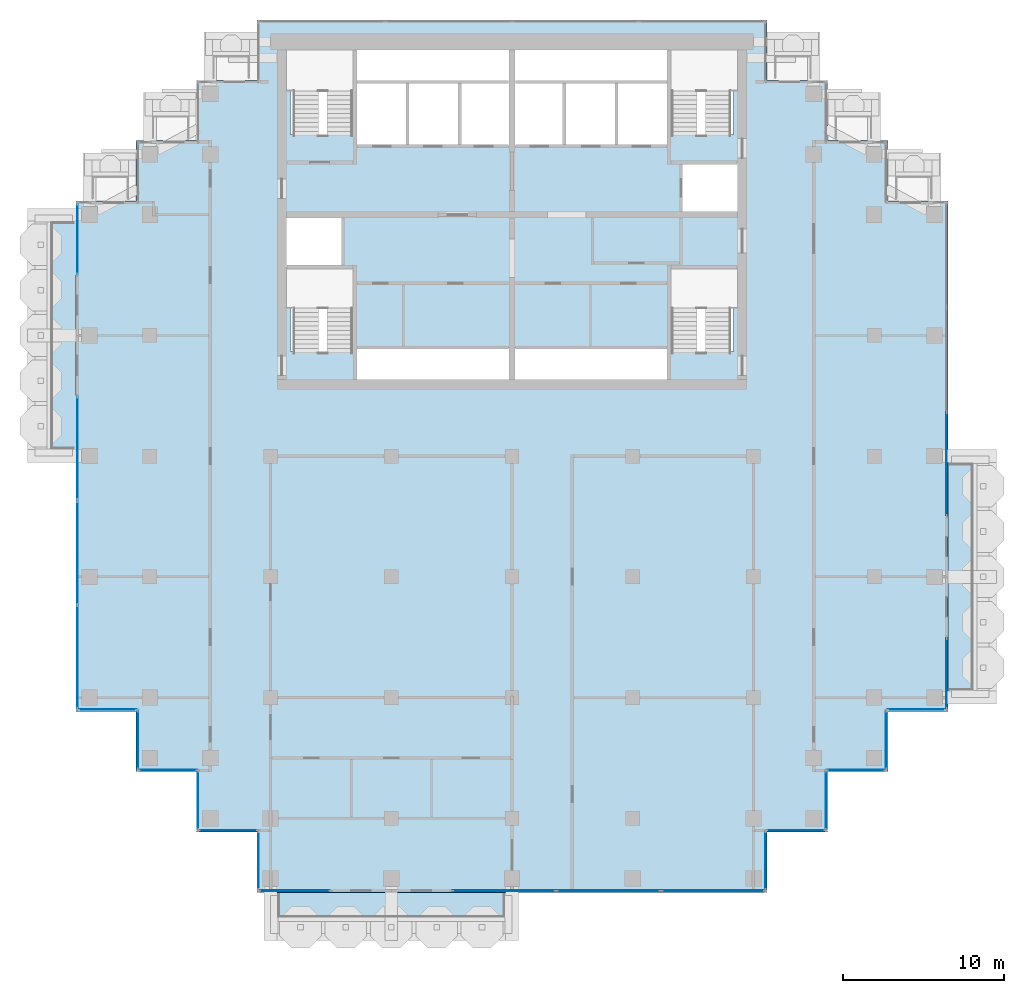
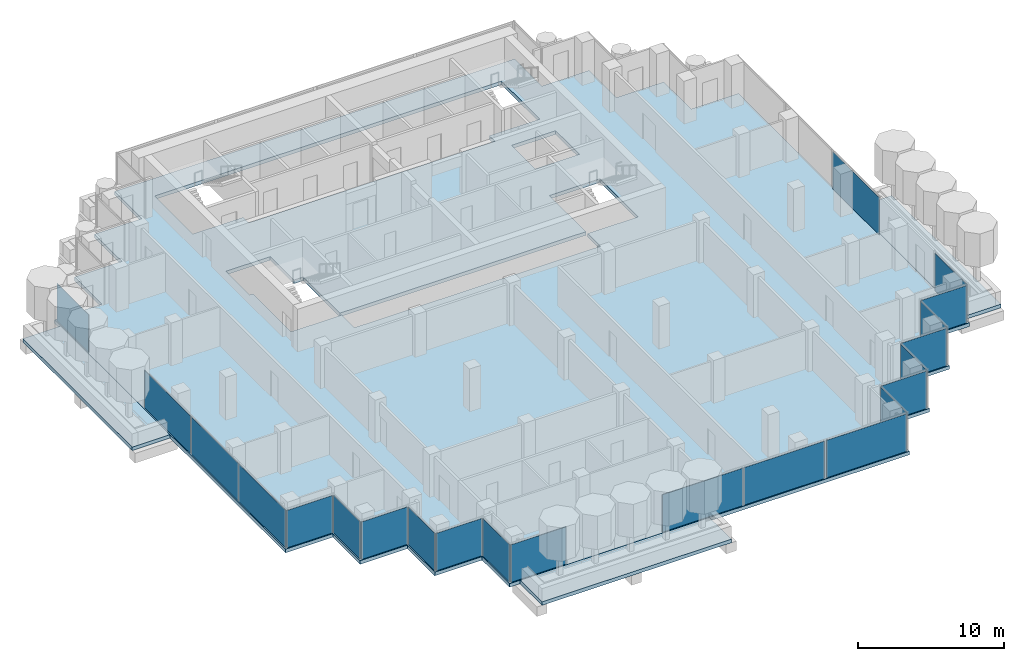
# One storey, part 8 of 17: 22 plates, 4 slabs, 20 elements without a shape of their own.
"""IFC4 building model written with IfcOpenShell, lengths in metres."""

from ifc_helpers import new_model, si_unit, direction, frame, origin, origin_2d, place, context, subcontext, project, spatial, polyline, rectangle, outline, extrude, material, layer, layer_set, type_object, element, aggregate, save


model = new_model("IFC4")

# Units and contexts
model_context = context("Model", 3, precision=1e-05, world=origin(), true_north=direction((0.0, 1.0)))
body_context = subcontext(model_context, "Body", "Model", "MODEL_VIEW")
ifc_project = project(units=[si_unit("LENGTHUNIT", "METRE"), si_unit("AREAUNIT", "SQUARE_METRE"), si_unit("VOLUMEUNIT", "CUBIC_METRE"), si_unit("PLANEANGLEUNIT", "RADIAN"), si_unit("MASSUNIT", "GRAM", prefix="KILO")], contexts=[model_context])

# Site, building, storey
site_placement = place(None, origin())
site = spatial("IfcSite", under=ifc_project, at=site_placement, CompositionType="ELEMENT")
building_placement = place(site_placement, origin())
building = spatial("IfcBuilding", under=site, at=building_placement, Name="Pilkhan Gate Tower", CompositionType="ELEMENT")
storey_placement = place(building_placement, frame((0.0, 0.0, 213.89990234375)))
storey = spatial("IfcBuildingStorey", under=building, at=storey_placement, Name="L55", CompositionType="ELEMENT", Elevation=213.89990234375)

# Slabs
ifc_material_1 = material(Name="Concrete C60/75", Category="concrete")
ifc_layer_1 = layer(ifc_material_1, 0.300048828125)
ifc_layer_set_1 = layer_set([ifc_layer_1], Name="Balcony tray slab TR300")
slab_type_1 = type_object("IfcSlabType", Name="Balcony tray slab TR300", PredefinedType="FLOOR", material=ifc_layer_set_1)
slab_1_placement = place(storey_placement, frame((0.0, 0.0, -0.2998046875)))
element("IfcSlab", 1, at=slab_1_placement, inside=storey, type_object=slab_type_1, Name="Balcony tray L55 S", PredefinedType="FLOOR", context=body_context, shape_type="SweptSolid", body=[
    extrude(outline(polyline([(75.0, 37.39990234375), (75.0, 40.39990234375), (60.0, 40.39990234375), (60.0, 37.39990234375), (75.0, 37.39990234375)])), origin(), (0.0, 0.0, 1.0), 0.2998046875),
])
slab_2_placement = place(storey_placement, frame((0.0, 0.0, -0.2998046875)))
element("IfcSlab", 2, at=slab_2_placement, inside=storey, type_object=slab_type_1, Name="Balcony tray L55 E", PredefinedType="FLOOR", context=body_context, shape_type="SweptSolid", body=[
    extrude(outline(polyline([(105.10009765625, 52.5), (105.10009765625, 67.5), (102.10009765625, 67.5), (102.10009765625, 52.5), (105.10009765625, 52.5)])), origin(), (0.0, 0.0, 1.0), 0.2998046875),
])
slab_3_placement = place(storey_placement, frame((0.0, 0.0, -0.2998046875)))
element("IfcSlab", 3, at=slab_3_placement, inside=storey, type_object=slab_type_1, Name="Balcony tray L55 W", PredefinedType="FLOOR", context=body_context, shape_type="SweptSolid", body=[
    extrude(outline(polyline([(47.89990234375, 67.5), (47.89990234375, 82.5), (44.89990234375, 82.5), (44.89990234375, 67.5), (47.89990234375, 67.5)])), origin(), (0.0, 0.0, 1.0), 0.2998046875),
])
ifc_material_2 = material(Name="Concrete C40/50", Category="concrete")
ifc_layer_2 = layer(ifc_material_2, 0.300048828125)
ifc_layer_set_2 = layer_set([ifc_layer_2], Name="Flat plate slab FP300")
slab_type_2 = type_object("IfcSlabType", Name="Flat plate slab FP300", PredefinedType="FLOOR", material=ifc_layer_set_2)
slab_4_placement = place(storey_placement, frame((0.0, 0.0, -0.2998046875)))
element("IfcSlab", 4, at=slab_4_placement, inside=storey, type_object=slab_type_2, Name="Floor slab L55", PredefinedType="FLOOR", context=body_context, shape_type="SweptSolid", body=[
    extrude(outline(polyline([(98.35009765625, 47.89990234375), (94.60009765625, 47.89990234375), (94.60009765625, 44.14990234375), (90.85009765625, 44.14990234375), (90.85009765625, 40.39990234375), (59.14990234375, 40.39990234375), (59.14990234375, 44.14990234375), (55.39990234375, 44.14990234375), (55.39990234375, 47.89990234375), (51.64990234375, 47.89990234375), (51.64990234375, 51.64990234375), (47.89990234375, 51.64990234375), (47.89990234375, 83.35009765625), (51.64990234375, 83.35009765625), (51.64990234375, 87.10009765625), (55.39990234375, 87.10009765625), (55.39990234375, 90.85009765625), (59.14990234375, 90.85009765625), (59.14990234375, 94.60009765625), (90.85009765625, 94.60009765625), (90.85009765625, 90.85009765625), (94.60009765625, 90.85009765625), (94.60009765625, 87.10009765625), (98.35009765625, 87.10009765625), (98.35009765625, 83.35009765625), (102.10009765625, 83.35009765625), (102.10009765625, 51.64990234375), (98.35009765625, 51.64990234375), (98.35009765625, 47.89990234375)]), holes=[polyline([(75.0, 72.25), (84.75, 72.25), (84.75, 74.0), (88.75, 74.0), (88.75, 79.25), (84.75, 79.25), (84.75, 74.25), (75.0, 74.25), (65.25, 74.25), (65.25, 79.25), (64.5, 79.25), (64.5, 82.5), (61.25, 82.5), (61.0, 82.5), (61.0, 79.25), (61.25, 79.25), (61.25, 74.0), (65.25, 74.0), (65.25, 72.25), (75.0, 72.25)]), polyline([(68.5, 86.75), (71.75, 86.75), (75.0, 86.75), (78.25, 86.75), (81.5, 86.75), (84.75, 86.75), (84.75, 87.5), (88.75, 87.5), (88.75, 92.75), (84.75, 92.75), (75.0, 92.75), (65.25, 92.75), (61.25, 92.75), (61.25, 87.5), (65.25, 87.5), (65.25, 86.75), (68.5, 86.75)]), polyline([(85.5, 85.75), (85.5, 82.5), (88.75, 82.5), (89.0, 82.5), (89.0, 85.75), (88.75, 85.75), (85.5, 85.75)])]), origin(), (0.0, 0.0, 1.0), 0.2998046875),
])

# Curtain wall, plate
ifc_material_3 = material(Name="Pale anodised aluminium, clear low-iron double glazing", Category="aluminium")
curtain_wall_type = type_object("IfcCurtainWallType", Name="Office unitised curtain wall CW-O2", PredefinedType="USERDEFINED", material=ifc_material_3)
curtain_wall_1_placement = place(storey_placement, origin())
curtain_wall_1 = element("IfcCurtainWall", 5, at=curtain_wall_1_placement, inside=storey, type_object=curtain_wall_type, Name="Office unitised curtain wall CW-O2 L55 E", ObjectType="UNITISED CURTAIN WALL", PredefinedType="USERDEFINED")
ifc_material_4 = material(Name="Clear low-iron double glazing", Category="glass")
ifc_layer_3 = layer(ifc_material_4, 0.031982421875)
ifc_layer_set_3 = layer_set([ifc_layer_3], Name="Glass panel CW-O2 32")
plate_type = type_object("IfcPlateType", Name="Glass panel CW-O2 32", PredefinedType="CURTAIN_PANEL", material=ifc_layer_set_3)
plate_1_placement = place(storey_placement, frame((102.0, 54.0, 0.0), z_axis=(0.0, 0.0, 1.0), x_axis=(0.0, 1.0, 0.0)))
plate_1 = element("IfcPlate", 6, at=plate_1_placement, type_object=plate_type, Name="CW-O2 panel 1", PredefinedType="CURTAIN_PANEL", context=body_context, shape_type="SweptSolid", body=[
    extrude(rectangle(XDim=4.3701171875, YDim=0.031982421875, at=origin_2d()), origin(), (0.0, 0.0, 1.0), 3.135009765625),
])
aggregate(curtain_wall_1, [plate_1])

curtain_wall_2_placement = place(storey_placement, origin())
curtain_wall_2 = element("IfcCurtainWall", 7, at=curtain_wall_2_placement, inside=storey, type_object=curtain_wall_type, Name="Office unitised curtain wall CW-O2 L55 E", ObjectType="UNITISED CURTAIN WALL", PredefinedType="USERDEFINED")
plate_2_placement = place(storey_placement, frame((102.0, 67.016357421875, 0.0), z_axis=(0.0, 0.0, 1.0), x_axis=(0.0, 1.0, 0.0)))
plate_2 = element("IfcPlate", 8, at=plate_2_placement, type_object=plate_type, Name="CW-O2 panel 1", PredefinedType="CURTAIN_PANEL", context=body_context, shape_type="SweptSolid", body=[
    extrude(rectangle(XDim=6.402587890625, YDim=0.031982421875, at=origin_2d()), origin(), (0.0, 0.0, 1.0), 3.135009765625),
])
aggregate(curtain_wall_2, [plate_2])

# Curtain wall, plates
curtain_wall_3_placement = place(storey_placement, origin())
curtain_wall_3 = element("IfcCurtainWall", 9, at=curtain_wall_3_placement, inside=storey, type_object=curtain_wall_type, Name="Office unitised curtain wall CW-O2 L55 W", ObjectType="UNITISED CURTAIN WALL", PredefinedType="USERDEFINED")
plate_3_placement = place(storey_placement, frame((48.0, 55.016357421875, 0.0), z_axis=(0.0, 0.0, 1.0), x_axis=(0.0, 1.0, 0.0)))
plate_3 = element("IfcPlate", 10, at=plate_3_placement, type_object=plate_type, Name="CW-O2 panel 1", PredefinedType="CURTAIN_PANEL", context=body_context, shape_type="SweptSolid", body=[
    extrude(rectangle(XDim=6.402587890625, YDim=0.031982421875, at=origin_2d()), origin(), (0.0, 0.0, 1.0), 3.135009765625),
])
plate_4_placement = place(storey_placement, frame((48.0, 61.483642578125, 0.0), z_axis=(0.0, 0.0, 1.0), x_axis=(0.0, 1.0, 0.0)))
plate_4 = element("IfcPlate", 11, at=plate_4_placement, type_object=plate_type, Name="CW-O2 panel 2", PredefinedType="CURTAIN_PANEL", context=body_context, shape_type="SweptSolid", body=[
    extrude(rectangle(XDim=6.402587890625, YDim=0.031982421875, at=origin_2d()), origin(), (0.0, 0.0, 1.0), 3.135009765625),
])
aggregate(curtain_wall_3, [plate_3, plate_4])

# Curtain wall, plate
curtain_wall_4_placement = place(storey_placement, origin())
curtain_wall_4 = element("IfcCurtainWall", 12, at=curtain_wall_4_placement, inside=storey, type_object=curtain_wall_type, Name="Office unitised curtain wall CW-O2 L55 W", ObjectType="UNITISED CURTAIN WALL", PredefinedType="USERDEFINED")
plate_5_placement = place(storey_placement, frame((48.0, 68.0, 0.0), z_axis=(0.0, 0.0, 1.0), x_axis=(0.0, 1.0, 0.0)))
plate_5 = element("IfcPlate", 13, at=plate_5_placement, type_object=plate_type, Name="CW-O2 panel 1", PredefinedType="CURTAIN_PANEL", context=body_context, shape_type="SweptSolid", body=[
    extrude(rectangle(XDim=6.3701171875, YDim=0.031982421875, at=origin_2d()), origin(), (0.0, 0.0, 1.0), 3.135009765625),
])
aggregate(curtain_wall_4, [plate_5])

curtain_wall_5_placement = place(storey_placement, origin())
curtain_wall_5 = element("IfcCurtainWall", 14, at=curtain_wall_5_placement, inside=storey, type_object=curtain_wall_type, Name="Office unitised curtain wall CW-O2 L55 W", ObjectType="UNITISED CURTAIN WALL", PredefinedType="USERDEFINED")
plate_6_placement = place(storey_placement, frame((48.0, 81.0, 0.0), z_axis=(0.0, 0.0, 1.0), x_axis=(0.0, 1.0, 0.0)))
plate_6 = element("IfcPlate", 15, at=plate_6_placement, type_object=plate_type, Name="CW-O2 panel 1", PredefinedType="CURTAIN_PANEL", context=body_context, shape_type="SweptSolid", body=[
    extrude(rectangle(XDim=4.3701171875, YDim=0.031982421875, at=origin_2d()), origin(), (0.0, 0.0, 1.0), 3.135009765625),
])
aggregate(curtain_wall_5, [plate_6])

curtain_wall_6_placement = place(storey_placement, origin())
curtain_wall_6 = element("IfcCurtainWall", 16, at=curtain_wall_6_placement, inside=storey, type_object=curtain_wall_type, Name="Office unitised curtain wall CW-O2 L55 S", ObjectType="UNITISED CURTAIN WALL", PredefinedType="USERDEFINED")
plate_7_placement = place(storey_placement, frame((49.875, 51.75, 0.0), z_axis=(0.0, 0.0, 1.0), x_axis=(1.0, 0.0, 0.0)))
plate_7 = element("IfcPlate", 17, at=plate_7_placement, type_object=plate_type, Name="CW-O2 panel 1", PredefinedType="CURTAIN_PANEL", context=body_context, shape_type="SweptSolid", body=[
    extrude(rectangle(XDim=3.6201171875, YDim=0.031982421875, at=origin_2d()), origin(), (0.0, 0.0, 1.0), 3.135009765625),
])
aggregate(curtain_wall_6, [plate_7])

curtain_wall_7_placement = place(storey_placement, origin())
curtain_wall_7 = element("IfcCurtainWall", 18, at=curtain_wall_7_placement, inside=storey, type_object=curtain_wall_type, Name="Office unitised curtain wall CW-O2 L55 W", ObjectType="UNITISED CURTAIN WALL", PredefinedType="USERDEFINED")
plate_8_placement = place(storey_placement, frame((51.75, 49.875, 0.0), z_axis=(0.0, 0.0, 1.0), x_axis=(0.0, 1.0, 0.0)))
plate_8 = element("IfcPlate", 19, at=plate_8_placement, type_object=plate_type, Name="CW-O2 panel 1", PredefinedType="CURTAIN_PANEL", context=body_context, shape_type="SweptSolid", body=[
    extrude(rectangle(XDim=3.6201171875, YDim=0.031982421875, at=origin_2d()), origin(), (0.0, 0.0, 1.0), 3.135009765625),
])
aggregate(curtain_wall_7, [plate_8])

curtain_wall_8_placement = place(storey_placement, origin())
curtain_wall_8 = element("IfcCurtainWall", 20, at=curtain_wall_8_placement, inside=storey, type_object=curtain_wall_type, Name="Office unitised curtain wall CW-O2 L55 S", ObjectType="UNITISED CURTAIN WALL", PredefinedType="USERDEFINED")
plate_9_placement = place(storey_placement, frame((53.625, 48.0, 0.0), z_axis=(0.0, 0.0, 1.0), x_axis=(1.0, 0.0, 0.0)))
plate_9 = element("IfcPlate", 21, at=plate_9_placement, type_object=plate_type, Name="CW-O2 panel 1", PredefinedType="CURTAIN_PANEL", context=body_context, shape_type="SweptSolid", body=[
    extrude(rectangle(XDim=3.6201171875, YDim=0.031982421875, at=origin_2d()), origin(), (0.0, 0.0, 1.0), 3.135009765625),
])
aggregate(curtain_wall_8, [plate_9])

curtain_wall_9_placement = place(storey_placement, origin())
curtain_wall_9 = element("IfcCurtainWall", 22, at=curtain_wall_9_placement, inside=storey, type_object=curtain_wall_type, Name="Office unitised curtain wall CW-O2 L55 W", ObjectType="UNITISED CURTAIN WALL", PredefinedType="USERDEFINED")
plate_10_placement = place(storey_placement, frame((55.5, 46.125, 0.0), z_axis=(0.0, 0.0, 1.0), x_axis=(0.0, 1.0, 0.0)))
plate_10 = element("IfcPlate", 23, at=plate_10_placement, type_object=plate_type, Name="CW-O2 panel 1", PredefinedType="CURTAIN_PANEL", context=body_context, shape_type="SweptSolid", body=[
    extrude(rectangle(XDim=3.6201171875, YDim=0.031982421875, at=origin_2d()), origin(), (0.0, 0.0, 1.0), 3.135009765625),
])
aggregate(curtain_wall_9, [plate_10])

curtain_wall_10_placement = place(storey_placement, origin())
curtain_wall_10 = element("IfcCurtainWall", 24, at=curtain_wall_10_placement, inside=storey, type_object=curtain_wall_type, Name="Office unitised curtain wall CW-O2 L55 S", ObjectType="UNITISED CURTAIN WALL", PredefinedType="USERDEFINED")
plate_11_placement = place(storey_placement, frame((57.375, 44.25, 0.0), z_axis=(0.0, 0.0, 1.0), x_axis=(1.0, 0.0, 0.0)))
plate_11 = element("IfcPlate", 25, at=plate_11_placement, type_object=plate_type, Name="CW-O2 panel 1", PredefinedType="CURTAIN_PANEL", context=body_context, shape_type="SweptSolid", body=[
    extrude(rectangle(XDim=3.6201171875, YDim=0.031982421875, at=origin_2d()), origin(), (0.0, 0.0, 1.0), 3.135009765625),
])
aggregate(curtain_wall_10, [plate_11])

curtain_wall_11_placement = place(storey_placement, origin())
curtain_wall_11 = element("IfcCurtainWall", 26, at=curtain_wall_11_placement, inside=storey, type_object=curtain_wall_type, Name="Office unitised curtain wall CW-O2 L55 W", ObjectType="UNITISED CURTAIN WALL", PredefinedType="USERDEFINED")
plate_12_placement = place(storey_placement, frame((59.25, 42.375, 0.0), z_axis=(0.0, 0.0, 1.0), x_axis=(0.0, 1.0, 0.0)))
plate_12 = element("IfcPlate", 27, at=plate_12_placement, type_object=plate_type, Name="CW-O2 panel 1", PredefinedType="CURTAIN_PANEL", context=body_context, shape_type="SweptSolid", body=[
    extrude(rectangle(XDim=3.6201171875, YDim=0.031982421875, at=origin_2d()), origin(), (0.0, 0.0, 1.0), 3.135009765625),
])
aggregate(curtain_wall_11, [plate_12])

curtain_wall_12_placement = place(storey_placement, origin())
curtain_wall_12 = element("IfcCurtainWall", 28, at=curtain_wall_12_placement, inside=storey, type_object=curtain_wall_type, Name="Office unitised curtain wall CW-O2 L55 S", ObjectType="UNITISED CURTAIN WALL", PredefinedType="USERDEFINED")
plate_13_placement = place(storey_placement, frame((61.5, 40.5, 0.0), z_axis=(0.0, 0.0, 1.0), x_axis=(1.0, 0.0, 0.0)))
plate_13 = element("IfcPlate", 29, at=plate_13_placement, type_object=plate_type, Name="CW-O2 panel 1", PredefinedType="CURTAIN_PANEL", context=body_context, shape_type="SweptSolid", body=[
    extrude(rectangle(XDim=4.3701171875, YDim=0.031982421875, at=origin_2d()), origin(), (0.0, 0.0, 1.0), 3.135009765625),
])
aggregate(curtain_wall_12, [plate_13])

# Curtain wall, plates
curtain_wall_13_placement = place(storey_placement, origin())
curtain_wall_13 = element("IfcCurtainWall", 30, at=curtain_wall_13_placement, inside=storey, type_object=curtain_wall_type, Name="Office unitised curtain wall CW-O2 L55 S", ObjectType="UNITISED CURTAIN WALL", PredefinedType="USERDEFINED")
plate_14_placement = place(storey_placement, frame((74.516357421875, 40.5, 0.0), z_axis=(0.0, 0.0, 1.0), x_axis=(1.0, 0.0, 0.0)))
plate_14 = element("IfcPlate", 31, at=plate_14_placement, type_object=plate_type, Name="CW-O2 panel 1", PredefinedType="CURTAIN_PANEL", context=body_context, shape_type="SweptSolid", body=[
    extrude(rectangle(XDim=6.402587890625, YDim=0.031982421875, at=origin_2d()), origin(), (0.0, 0.0, 1.0), 3.135009765625),
])
plate_15_placement = place(storey_placement, frame((80.983642578125, 40.5, 0.0), z_axis=(0.0, 0.0, 1.0), x_axis=(1.0, 0.0, 0.0)))
plate_15 = element("IfcPlate", 32, at=plate_15_placement, type_object=plate_type, Name="CW-O2 panel 2", PredefinedType="CURTAIN_PANEL", context=body_context, shape_type="SweptSolid", body=[
    extrude(rectangle(XDim=6.402587890625, YDim=0.031982421875, at=origin_2d()), origin(), (0.0, 0.0, 1.0), 3.135009765625),
])
aggregate(curtain_wall_13, [plate_14, plate_15])

# Curtain wall, plate
curtain_wall_14_placement = place(storey_placement, origin())
curtain_wall_14 = element("IfcCurtainWall", 33, at=curtain_wall_14_placement, inside=storey, type_object=curtain_wall_type, Name="Office unitised curtain wall CW-O2 L55 S", ObjectType="UNITISED CURTAIN WALL", PredefinedType="USERDEFINED")
plate_16_placement = place(storey_placement, frame((87.5, 40.5, 0.0), z_axis=(0.0, 0.0, 1.0), x_axis=(1.0, 0.0, 0.0)))
plate_16 = element("IfcPlate", 34, at=plate_16_placement, type_object=plate_type, Name="CW-O2 panel 1", PredefinedType="CURTAIN_PANEL", context=body_context, shape_type="SweptSolid", body=[
    extrude(rectangle(XDim=6.3701171875, YDim=0.031982421875, at=origin_2d()), origin(), (0.0, 0.0, 1.0), 3.135009765625),
])
aggregate(curtain_wall_14, [plate_16])

curtain_wall_15_placement = place(storey_placement, origin())
curtain_wall_15 = element("IfcCurtainWall", 35, at=curtain_wall_15_placement, inside=storey, type_object=curtain_wall_type, Name="Office unitised curtain wall CW-O2 L55 E", ObjectType="UNITISED CURTAIN WALL", PredefinedType="USERDEFINED")
plate_17_placement = place(storey_placement, frame((90.75, 42.375, 0.0), z_axis=(0.0, 0.0, 1.0), x_axis=(0.0, 1.0, 0.0)))
plate_17 = element("IfcPlate", 36, at=plate_17_placement, type_object=plate_type, Name="CW-O2 panel 1", PredefinedType="CURTAIN_PANEL", context=body_context, shape_type="SweptSolid", body=[
    extrude(rectangle(XDim=3.6201171875, YDim=0.031982421875, at=origin_2d()), origin(), (0.0, 0.0, 1.0), 3.135009765625),
])
aggregate(curtain_wall_15, [plate_17])

curtain_wall_16_placement = place(storey_placement, origin())
curtain_wall_16 = element("IfcCurtainWall", 37, at=curtain_wall_16_placement, inside=storey, type_object=curtain_wall_type, Name="Office unitised curtain wall CW-O2 L55 S", ObjectType="UNITISED CURTAIN WALL", PredefinedType="USERDEFINED")
plate_18_placement = place(storey_placement, frame((92.625, 44.25, 0.0), z_axis=(0.0, 0.0, 1.0), x_axis=(1.0, 0.0, 0.0)))
plate_18 = element("IfcPlate", 38, at=plate_18_placement, type_object=plate_type, Name="CW-O2 panel 1", PredefinedType="CURTAIN_PANEL", context=body_context, shape_type="SweptSolid", body=[
    extrude(rectangle(XDim=3.6201171875, YDim=0.031982421875, at=origin_2d()), origin(), (0.0, 0.0, 1.0), 3.135009765625),
])
aggregate(curtain_wall_16, [plate_18])

curtain_wall_17_placement = place(storey_placement, origin())
curtain_wall_17 = element("IfcCurtainWall", 39, at=curtain_wall_17_placement, inside=storey, type_object=curtain_wall_type, Name="Office unitised curtain wall CW-O2 L55 E", ObjectType="UNITISED CURTAIN WALL", PredefinedType="USERDEFINED")
plate_19_placement = place(storey_placement, frame((94.5, 46.125, 0.0), z_axis=(0.0, 0.0, 1.0), x_axis=(0.0, 1.0, 0.0)))
plate_19 = element("IfcPlate", 40, at=plate_19_placement, type_object=plate_type, Name="CW-O2 panel 1", PredefinedType="CURTAIN_PANEL", context=body_context, shape_type="SweptSolid", body=[
    extrude(rectangle(XDim=3.6201171875, YDim=0.031982421875, at=origin_2d()), origin(), (0.0, 0.0, 1.0), 3.135009765625),
])
aggregate(curtain_wall_17, [plate_19])

curtain_wall_18_placement = place(storey_placement, origin())
curtain_wall_18 = element("IfcCurtainWall", 41, at=curtain_wall_18_placement, inside=storey, type_object=curtain_wall_type, Name="Office unitised curtain wall CW-O2 L55 S", ObjectType="UNITISED CURTAIN WALL", PredefinedType="USERDEFINED")
plate_20_placement = place(storey_placement, frame((96.375, 48.0, 0.0), z_axis=(0.0, 0.0, 1.0), x_axis=(1.0, 0.0, 0.0)))
plate_20 = element("IfcPlate", 42, at=plate_20_placement, type_object=plate_type, Name="CW-O2 panel 1", PredefinedType="CURTAIN_PANEL", context=body_context, shape_type="SweptSolid", body=[
    extrude(rectangle(XDim=3.6201171875, YDim=0.031982421875, at=origin_2d()), origin(), (0.0, 0.0, 1.0), 3.135009765625),
])
aggregate(curtain_wall_18, [plate_20])

curtain_wall_19_placement = place(storey_placement, origin())
curtain_wall_19 = element("IfcCurtainWall", 43, at=curtain_wall_19_placement, inside=storey, type_object=curtain_wall_type, Name="Office unitised curtain wall CW-O2 L55 E", ObjectType="UNITISED CURTAIN WALL", PredefinedType="USERDEFINED")
plate_21_placement = place(storey_placement, frame((98.25, 49.875, 0.0), z_axis=(0.0, 0.0, 1.0), x_axis=(0.0, 1.0, 0.0)))
plate_21 = element("IfcPlate", 44, at=plate_21_placement, type_object=plate_type, Name="CW-O2 panel 1", PredefinedType="CURTAIN_PANEL", context=body_context, shape_type="SweptSolid", body=[
    extrude(rectangle(XDim=3.6201171875, YDim=0.031982421875, at=origin_2d()), origin(), (0.0, 0.0, 1.0), 3.135009765625),
])
aggregate(curtain_wall_19, [plate_21])

curtain_wall_20_placement = place(storey_placement, origin())
curtain_wall_20 = element("IfcCurtainWall", 45, at=curtain_wall_20_placement, inside=storey, type_object=curtain_wall_type, Name="Office unitised curtain wall CW-O2 L55 S", ObjectType="UNITISED CURTAIN WALL", PredefinedType="USERDEFINED")
plate_22_placement = place(storey_placement, frame((100.125, 51.75, 0.0), z_axis=(0.0, 0.0, 1.0), x_axis=(1.0, 0.0, 0.0)))
plate_22 = element("IfcPlate", 46, at=plate_22_placement, type_object=plate_type, Name="CW-O2 panel 1", PredefinedType="CURTAIN_PANEL", context=body_context, shape_type="SweptSolid", body=[
    extrude(rectangle(XDim=3.6201171875, YDim=0.031982421875, at=origin_2d()), origin(), (0.0, 0.0, 1.0), 3.135009765625),
])
aggregate(curtain_wall_20, [plate_22])

save(model, "model.ifc")
